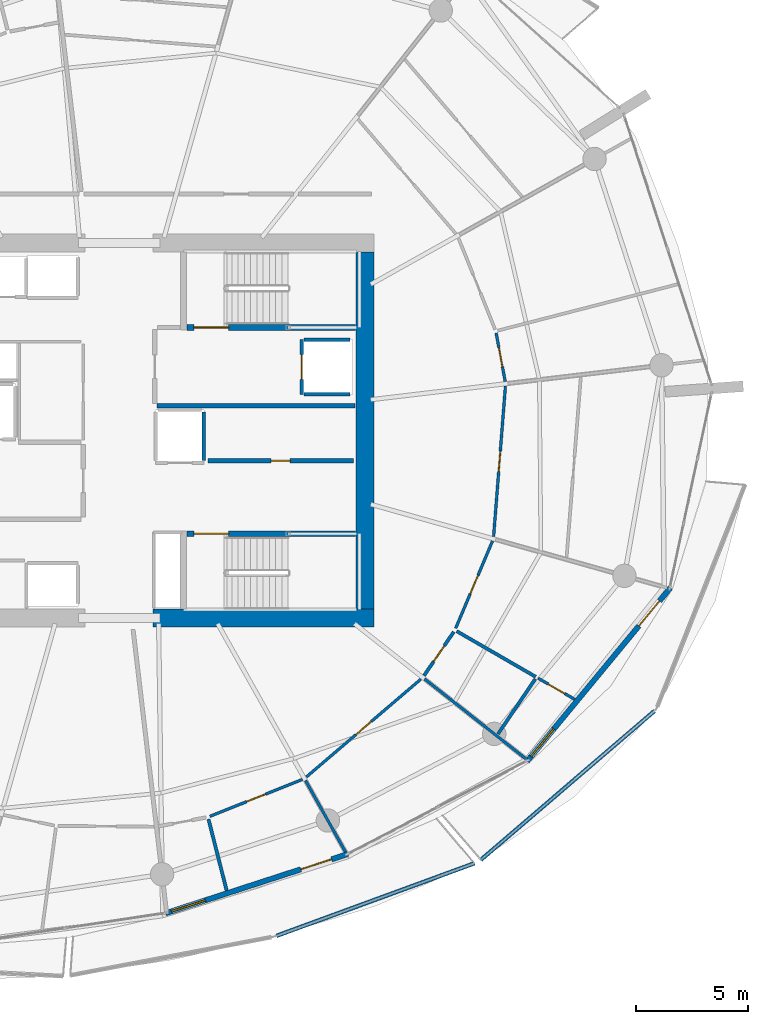
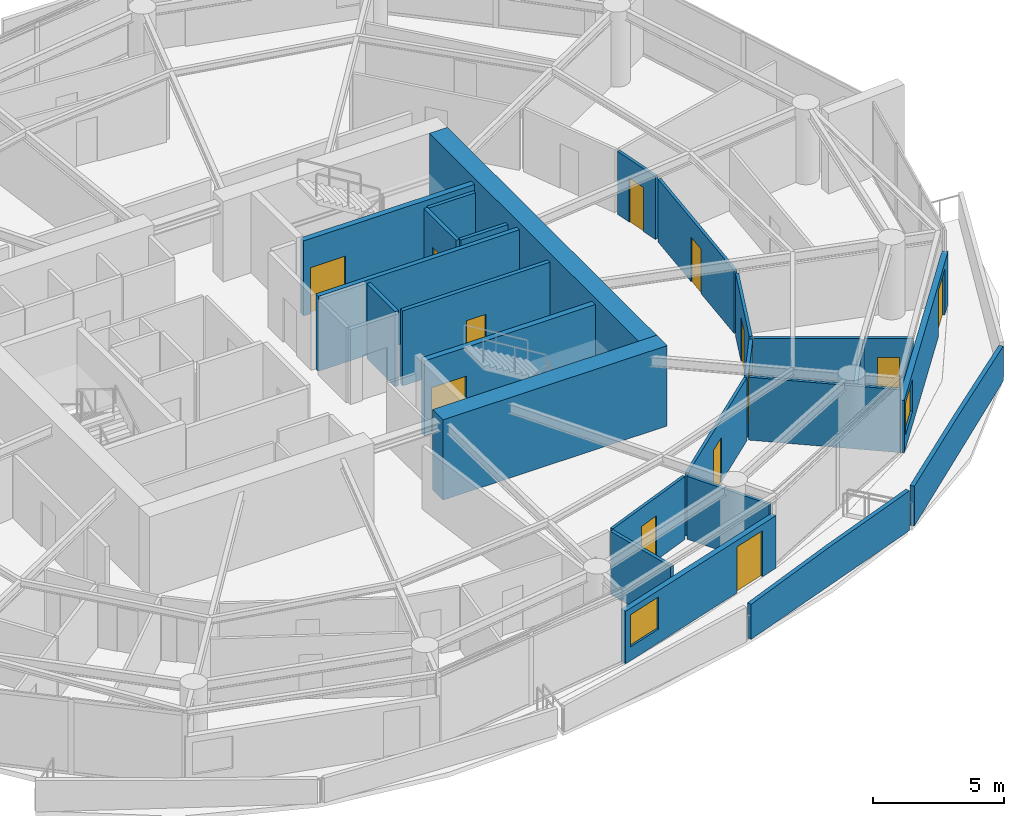
# One storey, part 13 of 20: 26 walls, 13 doors, 2 windows, 15 openings.
"""IFC4 building model written with IfcOpenShell, lengths in metres."""

from ifc_helpers import new_model, si_unit, direction, frame, frame_2d, origin, place, context, subcontext, project, spatial, polyline, rectangle, outline, extrude, material, layer, layer_set, type_object, element, fill, save


model = new_model("IFC4")

# Units and contexts
model_context = context("Model", 3, precision=1e-05, world=origin(), true_north=direction((0.0, 1.0)))
body_context = subcontext(model_context, "Body", "Model", "MODEL_VIEW")
ifc_project = project(units=[si_unit("LENGTHUNIT", "METRE"), si_unit("AREAUNIT", "SQUARE_METRE"), si_unit("VOLUMEUNIT", "CUBIC_METRE"), si_unit("PLANEANGLEUNIT", "RADIAN"), si_unit("MASSUNIT", "GRAM", prefix="KILO")], contexts=[model_context])

# Site, building, storey
site_placement = place(None, origin())
site = spatial("IfcSite", under=ifc_project, at=site_placement, CompositionType="ELEMENT")
building_placement = place(site_placement, origin())
building = spatial("IfcBuilding", under=site, at=building_placement, Name="Kazma Halo Residences", CompositionType="ELEMENT")
storey_placement = place(building_placement, frame((0.0, 0.0, 161.550048828125)))
storey = spatial("IfcBuildingStorey", under=building, at=storey_placement, Name="L40", CompositionType="ELEMENT", Elevation=161.550048828125)

# Walls
ifc_material_1 = material(Name="White Concrete C50/60 Balustrade", Category="concrete")
ifc_layer_1 = layer(ifc_material_1, 0.179931640625)
ifc_layer_set_1 = layer_set([ifc_layer_1], Name="White Concrete C50/60 Balustrade")
wall_type_1 = type_object("IfcWallType", Name="WL-BAL-WAVE-180", PredefinedType="PARAPET", material=ifc_layer_set_1)
wall_1_placement = place(storey_placement, frame((55.481689453125, 19.36181640625, 0.0), z_axis=(0.0, 0.0, 1.0), x_axis=(0.93889246029, 0.344210615774, 0.0)))
element("IfcWall", 1, at=wall_1_placement, inside=storey, type_object=wall_type_1, Name="L40 white wave balustrade wall SSE.2", PredefinedType="PARAPET", context=body_context, shape_type="SweptSolid", body=[
    extrude(outline(polyline([(0.0, 0.0), (9.448974609375, 0.0), (9.448974609375, 1.85986328125), (4.724609375, 1.7978515625), (0.0, 1.6318359375), (0.0, 0.0)])), frame((0.0, 0.08984375, 0.0), z_axis=(0.0, -1.0, 0.0), x_axis=(1.0, 0.0, 0.0)), (0.0, 0.0, 1.0), 0.179931640625),
])
wall_2_placement = place(storey_placement, frame((64.6337890625, 22.763427734375, 0.0), z_axis=(0.0, 0.0, 1.0), x_axis=(0.758999279374, 0.651091463551, 0.0)))
element("IfcWall", 2, at=wall_2_placement, inside=storey, type_object=wall_type_1, Name="L40 white wave balustrade wall SE.1", PredefinedType="PARAPET", context=body_context, shape_type="SweptSolid", body=[
    extrude(outline(polyline([(0.0, 0.0), (10.2490234375, 0.0), (10.2490234375, 1.6318359375), (5.12451171875, 1.7978515625), (0.0, 1.85986328125), (0.0, 0.0)])), frame((0.0, 0.08984375, 0.0), z_axis=(0.0, -1.0, 0.0), x_axis=(1.0, 0.0, 0.0)), (0.0, 0.0, 1.0), 0.179931640625),
])
ifc_material_2 = material(Name="Concrete C80/95", Category="concrete")
ifc_layer_2 = layer(ifc_material_2, 0.800048828125)
ifc_layer_set_2 = layer_set([ifc_layer_2], Name="Concrete C80/95")
wall_type_2 = type_object("IfcWallType", Name="WL-CORE-800", PredefinedType="SHEAR", material=ifc_layer_set_2)
wall_3_placement = place(storey_placement, frame((49.949951171875, 33.60009765625, 0.0), z_axis=(0.0, 0.0, 1.0), x_axis=(1.0, 0.0, 0.0)))
element("IfcWall", 3, at=wall_3_placement, inside=storey, type_object=wall_type_2, Name="L40 central core shear wall SE", PredefinedType="SHEAR", context=body_context, shape_type="SweptSolid", body=[
    extrude(rectangle(XDim=9.900146484375, YDim=0.800048828125, at=frame_2d((4.9501953125, 0.0))), origin(), (0.0, 0.0, 1.0), 3.75),
])
wall_4_placement = place(storey_placement, frame((59.449951171875, 34.0, 0.0), z_axis=(0.0, 0.0, 1.0), x_axis=(0.0, 1.0, 0.0)))
element("IfcWall", 4, at=wall_4_placement, inside=storey, type_object=wall_type_2, Name="L40 central core shear wall E", PredefinedType="SHEAR", context=body_context, shape_type="SweptSolid", body=[
    extrude(rectangle(XDim=16.0, YDim=0.800048828125, at=frame_2d((8.0, 0.0))), origin(), (0.0, 0.0, 1.0), 3.75),
])

# Wall, openings, door, window
ifc_material_3 = material(Name="Insulated Pale-Metal Composite Wall")
ifc_layer_3 = layer(ifc_material_3, 0.239990234375)
ifc_layer_set_3 = layer_set([ifc_layer_3], Name="Insulated Pale-Metal Composite Wall")
wall_type_3 = type_object("IfcWallType", Name="WL-EXT-HOST-240", PredefinedType="SOLIDWALL", material=ifc_layer_set_3)
wall_5_placement = place(storey_placement, frame((50.510009765625, 20.375732421875, 0.0), z_axis=(0.0, 0.0, 1.0), x_axis=(0.951046390632, 0.309048156224, 0.0)))
wall_5 = element("IfcWall", 5, at=wall_5_placement, inside=storey, type_object=wall_type_3, Name="L40 exterior terrace-access wall B12", PredefinedType="SOLIDWALL", context=body_context, shape_type="SweptSolid", body=[
    extrude(rectangle(XDim=8.590087890625, YDim=0.239990234375, at=frame_2d((4.294921875, 0.0))), origin(), (0.0, 0.0, 1.0), 2.449951171875),
])
opening_1_placement = place(wall_5_placement, frame((6.370361328125, 0.0, 0.0)))
opening_1 = element("IfcOpeningElement", 6, at=opening_1_placement, cuts=wall_5, Name="Opening DTR-1600", PredefinedType="OPENING", context=body_context, shape_type="SweptSolid", body=[
    extrude(rectangle(XDim=1.449951171875, YDim=2.14990234375, at=frame_2d((0.72509765625, 1.074951171875))), frame((0.0, 0.1298828125, 0.0), z_axis=(0.0, -1.0, 0.0), x_axis=(1.0, 0.0, 0.0)), (0.0, 0.0, 1.0), 0.260009765625),
])
opening_2_placement = place(wall_5_placement, frame((0.280029296875, 0.0, 0.64990234375)))
opening_2 = element("IfcOpeningElement", 7, at=opening_2_placement, cuts=wall_5, Name="Opening W-1800", PredefinedType="OPENING", context=body_context, shape_type="SweptSolid", body=[
    extrude(rectangle(XDim=1.60009765625, YDim=1.5, at=frame_2d((0.800048828125, 0.75))), frame((0.0, 0.1298828125, 0.0), z_axis=(0.0, -1.0, 0.0), x_axis=(1.0, 0.0, 0.0)), (0.0, 0.0, 1.0), 0.260009765625),
])
ifc_material_4 = material(Name="Aluminium AW-6063 T6 Double-Glazed Terrace Door", Category="aluminium")
door_type_1 = type_object("IfcDoorType", Name="DR-EXT-TERR-1600", OperationType="NOTDEFINED", PredefinedType="DOOR", material=ifc_material_4)
door_1_placement = place(opening_1_placement, origin())
door_1 = element("IfcDoor", 8, at=door_1_placement, inside=storey, type_object=door_type_1, Name="L40 B12 balcony terrace door", OperationType="DOUBLE_DOOR_SLIDING", OverallHeight=2.14990234375, OverallWidth=1.449951171875, PredefinedType="DOOR", context=body_context, shape_type="SweptSolid", body=[
    extrude(rectangle(XDim=1.449951171875, YDim=2.14990234375, at=frame_2d((0.72509765625, 1.074951171875))), frame((0.0, 0.02490234375, 0.0), z_axis=(0.0, -1.0, 0.0), x_axis=(1.0, 0.0, 0.0)), (0.0, 0.0, 1.0), 0.050048828125),
])
fill(opening_1, door_1)
ifc_material_5 = material(Name="Clear Triple-Silver Low-E Glass in Aluminium AW-6063 T6 Frame", Category="aluminium")
window_type = type_object("IfcWindowType", Name="WIN-RES-1800", PartitioningType="DOUBLE_PANEL_VERTICAL", PredefinedType="WINDOW", material=ifc_material_5)
window_1_placement = place(opening_2_placement, origin())
window_1 = element("IfcWindow", 9, at=window_1_placement, inside=storey, type_object=window_type, Name="L40 B12 apartment window", OverallHeight=1.5, OverallWidth=1.60009765625, PartitioningType="SINGLE_PANEL", PredefinedType="WINDOW", context=body_context, shape_type="SweptSolid", body=[
    extrude(rectangle(XDim=1.60009765625, YDim=1.5, at=frame_2d((0.800048828125, 0.75))), frame((0.0, 0.030029296875, 0.0), z_axis=(0.0, -1.0, 0.0), x_axis=(1.0, 0.0, 0.0)), (0.0, 0.0, 1.0), 0.06005859375),
])
fill(opening_2, window_1)

wall_6_placement = place(storey_placement, frame((66.70947265625, 27.18701171875, 0.0), z_axis=(0.0, 0.0, 1.0), x_axis=(0.636771922292, 0.77105221547, 0.0)))
wall_6 = element("IfcWall", 10, at=wall_6_placement, inside=storey, type_object=wall_type_3, Name="L40 exterior terrace-access wall B14", PredefinedType="SOLIDWALL", context=body_context, shape_type="SweptSolid", body=[
    extrude(rectangle(XDim=10.08154296875, YDim=0.239990234375, at=frame_2d((5.040771484375, 0.0))), origin(), (0.0, 0.0, 1.0), 2.449951171875),
])
opening_3_placement = place(wall_6_placement, frame((7.861572265625, 0.0, 0.0)))
opening_3 = element("IfcOpeningElement", 11, at=opening_3_placement, cuts=wall_6, Name="Opening DTR-1600", PredefinedType="OPENING", context=body_context, shape_type="SweptSolid", body=[
    extrude(rectangle(XDim=1.449951171875, YDim=2.14990234375, at=frame_2d((0.72509765625, 1.074951171875))), frame((0.0, 0.1298828125, 0.0), z_axis=(0.0, -1.0, 0.0), x_axis=(1.0, 0.0, 0.0)), (0.0, 0.0, 1.0), 0.260009765625),
])
opening_4_placement = place(wall_6_placement, frame((0.280029296875, 0.0, 0.64990234375)))
opening_4 = element("IfcOpeningElement", 12, at=opening_4_placement, cuts=wall_6, Name="Opening W-1800", PredefinedType="OPENING", context=body_context, shape_type="SweptSolid", body=[
    extrude(rectangle(XDim=1.60009765625, YDim=1.5, at=frame_2d((0.800048828125, 0.75))), frame((0.0, 0.1298828125, 0.0), z_axis=(0.0, -1.0, 0.0), x_axis=(1.0, 0.0, 0.0)), (0.0, 0.0, 1.0), 0.260009765625),
])
door_2_placement = place(opening_3_placement, origin())
door_2 = element("IfcDoor", 13, at=door_2_placement, inside=storey, type_object=door_type_1, Name="L40 B14 balcony terrace door", OperationType="DOUBLE_DOOR_SLIDING", OverallHeight=2.14990234375, OverallWidth=1.449951171875, PredefinedType="DOOR", context=body_context, shape_type="SweptSolid", body=[
    extrude(rectangle(XDim=1.449951171875, YDim=2.14990234375, at=frame_2d((0.72509765625, 1.074951171875))), frame((0.0, 0.02490234375, 0.0), z_axis=(0.0, -1.0, 0.0), x_axis=(1.0, 0.0, 0.0)), (0.0, 0.0, 1.0), 0.050048828125),
])
fill(opening_3, door_2)
window_2_placement = place(opening_4_placement, origin())
window_2 = element("IfcWindow", 14, at=window_2_placement, inside=storey, type_object=window_type, Name="L40 B14 apartment window", OverallHeight=1.5, OverallWidth=1.60009765625, PartitioningType="SINGLE_PANEL", PredefinedType="WINDOW", context=body_context, shape_type="SweptSolid", body=[
    extrude(rectangle(XDim=1.60009765625, YDim=1.5, at=frame_2d((0.800048828125, 0.75))), frame((0.0, 0.030029296875, 0.0), z_axis=(0.0, -1.0, 0.0), x_axis=(1.0, 0.0, 0.0)), (0.0, 0.0, 1.0), 0.06005859375),
])
fill(opening_4, window_2)

# Wall, opening, door
ifc_material_6 = material(Name="Fire-Rated Blockwork Masonry", Category="masonry")
ifc_layer_4 = layer(ifc_material_6, 0.199951171875)
ifc_layer_set_4 = layer_set([ifc_layer_4], Name="Fire-Rated Blockwork Masonry")
wall_type_4 = type_object("IfcWallType", Name="WL-FLB-200", PredefinedType="PARTITIONING", material=ifc_layer_set_4)
wall_7_placement = place(storey_placement, frame((56.6201171875, 46.080078125, 0.0), z_axis=(0.0, 0.0, 1.0), x_axis=(0.0, -1.0, 0.0)))
wall_7 = element("IfcWall", 15, at=wall_7_placement, inside=storey, type_object=wall_type_4, Name="L40 lift shaft FL-02 front wall", PredefinedType="PARTITIONING", context=body_context, shape_type="SweptSolid", body=[
    extrude(rectangle(XDim=2.4599609375, YDim=0.159912109375, at=frame_2d((1.22998046875, 0.0))), origin(), (0.0, 0.0, 1.0), 3.5),
])
opening_5_placement = place(wall_7_placement, frame((0.679931640625, 0.0, 0.0)))
opening_5 = element("IfcOpeningElement", 16, at=opening_5_placement, cuts=wall_7, Name="Opening LD-FL-02", PredefinedType="OPENING", context=body_context, shape_type="SweptSolid", body=[
    extrude(rectangle(XDim=1.10009765625, YDim=2.10009765625, at=frame_2d((0.550048828125, 1.050048828125))), frame((0.0, 0.08984375, 0.0), z_axis=(0.0, -1.0, 0.0), x_axis=(1.0, 0.0, 0.0)), (0.0, 0.0, 1.0), 0.179931640625),
])
ifc_material_7 = material(Name="Stainless Steel Fire-Rated", Category="steel")
door_type_2 = type_object("IfcDoorType", Name="DR-LIFT-SLD-1100", OperationType="DOUBLE_DOOR_SLIDING", PredefinedType="DOOR", material=ifc_material_7)
door_3_placement = place(opening_5_placement, origin())
door_3 = element("IfcDoor", 17, at=door_3_placement, inside=storey, type_object=door_type_2, Name="L40 lift FL-02 sliding landing door", OperationType="DOUBLE_DOOR_SLIDING", OverallHeight=2.10009765625, OverallWidth=1.10009765625, PredefinedType="DOOR", context=body_context, shape_type="SweptSolid", body=[
    extrude(rectangle(XDim=1.10009765625, YDim=2.10009765625, at=frame_2d((0.550048828125, 1.050048828125))), frame((0.0, 0.02490234375, 0.0), z_axis=(0.0, -1.0, 0.0), x_axis=(1.0, 0.0, 0.0)), (0.0, 0.0, 1.0), 0.050048828125),
])
fill(opening_5, door_3)

# Walls
for number, where, z_axis, x_axis, name in (
    (18, (56.719970703125, 46.080078125, 0.0), (0.0, 0.0, 1.0), (1.0, 0.0, 0.0), "L40 lift shaft FL-02 side wall N"),
    (19, (56.719970703125, 43.6201171875, 0.0), (0.0, 0.0, 1.0), (1.0, 0.0, 0.0), "L40 lift shaft FL-02 side wall S"),
):
    element("IfcWall", number, at=place(storey_placement, frame(where, z_axis=z_axis, x_axis=x_axis)), inside=storey, type_object=wall_type_4, Name=name, PredefinedType="PARTITIONING", context=body_context, shape_type="SweptSolid", body=[
        extrude(rectangle(XDim=2.06005859375, YDim=0.159912109375, at=frame_2d((1.030029296875, 0.0))), origin(), (0.0, 0.0, 1.0), 3.5),
    ])
wall_8_placement = place(storey_placement, frame((52.22998046875, 40.669921875, 0.0), z_axis=(0.0, 0.0, 1.0), x_axis=(0.0, 1.0, 0.0)))
element("IfcWall", 20, at=wall_8_placement, inside=storey, type_object=wall_type_4, Name="L40 lift shaft SV-01 side wall E", PredefinedType="PARTITIONING", context=body_context, shape_type="SweptSolid", body=[
    extrude(rectangle(XDim=2.16015625, YDim=0.159912109375, at=frame_2d((1.080078125, 0.0))), origin(), (0.0, 0.0, 1.0), 3.5),
])

# Wall, opening, door
wall_9_placement = place(storey_placement, frame((52.419921875, 40.64990234375, 0.0), z_axis=(0.0, 0.0, 1.0), x_axis=(1.0, 0.0, 0.0)))
wall_9 = element("IfcWall", 21, at=wall_9_placement, inside=storey, type_object=wall_type_4, Name="L40 core east reserve wall", PredefinedType="PARTITIONING", context=body_context, shape_type="SweptSolid", body=[
    extrude(rectangle(XDim=6.5, YDim=0.179931640625, at=frame_2d((3.25, 0.0))), origin(), (0.0, 0.0, 1.0), 3.5),
])
opening_6_placement = place(wall_9_placement, frame((2.824951171875, 0.0, 0.0)))
opening_6 = element("IfcOpeningElement", 22, at=opening_6_placement, cuts=wall_9, Name="Opening DS-850", PredefinedType="OPENING", context=body_context, shape_type="SweptSolid", body=[
    extrude(rectangle(XDim=0.85009765625, YDim=2.06005859375, at=frame_2d((0.425048828125, 1.030029296875))), frame((0.0, 0.099853515625, 0.0), z_axis=(0.0, -1.0, 0.0), x_axis=(1.0, 0.0, 0.0)), (0.0, 0.0, 1.0), 0.199951171875),
])
ifc_material_8 = material(Name="Painted Steel Access Leaf", Category="steel")
door_type_3 = type_object("IfcDoorType", Name="DR-SVC-850", OperationType="NOTDEFINED", PredefinedType="DOOR", material=ifc_material_8)
door_4_placement = place(opening_6_placement, origin())
door_4 = element("IfcDoor", 23, at=door_4_placement, inside=storey, type_object=door_type_3, Name="L40 core east reserve door", OperationType="SINGLE_SWING_LEFT", OverallHeight=2.06005859375, OverallWidth=0.85009765625, PredefinedType="DOOR", context=body_context, shape_type="SweptSolid", body=[
    extrude(rectangle(XDim=0.85009765625, YDim=2.06005859375, at=frame_2d((0.425048828125, 1.030029296875))), frame((0.0, 0.02490234375, 0.0), z_axis=(0.0, -1.0, 0.0), x_axis=(1.0, 0.0, 0.0)), (0.0, 0.0, 1.0), 0.050048828125),
])
fill(opening_6, door_4)

# Wall
wall_10_placement = place(storey_placement, frame((50.1201171875, 43.1201171875, 0.0), z_axis=(0.0, 0.0, 1.0), x_axis=(1.0, 0.0, 0.0)))
element("IfcWall", 24, at=wall_10_placement, inside=storey, type_object=wall_type_4, Name="L40 east firefighting lobby south smoke wall", PredefinedType="PARTITIONING", context=body_context, shape_type="SweptSolid", body=[
    extrude(rectangle(XDim=8.8798828125, YDim=0.199951171875, at=frame_2d((4.43994140625, 0.0))), origin(), (0.0, 0.0, 1.0), 3.5),
])

# Wall, opening, door
ifc_material_9 = material(Name="Gypsum Plasterboard Partition")
ifc_layer_5 = layer(ifc_material_9, 0.125)
ifc_layer_set_5 = layer_set([ifc_layer_5], Name="Gypsum Plasterboard Partition")
wall_type_5 = type_object("IfcWallType", Name="WL-PART-125", PredefinedType="PARTITIONING", material=ifc_layer_set_5)
wall_11_placement = place(storey_placement, frame((52.49365234375, 24.716064453125, 0.0), z_axis=(0.0, 0.0, 1.0), x_axis=(0.928695316587, 0.370843644882, 0.0)))
wall_11 = element("IfcWall", 25, at=wall_11_placement, inside=storey, type_object=wall_type_5, Name="L40 Apartment 3 Gourmet Kitchen hall wall", PredefinedType="PARTITIONING", context=body_context, shape_type="SweptSolid", body=[
    extrude(rectangle(XDim=4.463623046875, YDim=0.125, at=frame_2d((2.23193359375, 0.0))), origin(), (0.0, 0.0, 1.0), 2.93994140625),
])
opening_7_placement = place(wall_11_placement, frame((1.78173828125, 0.0, 0.0)))
opening_7 = element("IfcOpeningElement", 26, at=opening_7_placement, cuts=wall_11, Name="Opening DI-950", PredefinedType="OPENING", context=body_context, shape_type="SweptSolid", body=[
    extrude(rectangle(XDim=0.89990234375, YDim=2.080078125, at=frame_2d((0.449951171875, 1.0400390625))), frame((0.0, 0.072509765625, 0.0), z_axis=(0.0, -1.0, 0.0), x_axis=(1.0, 0.0, 0.0)), (0.0, 0.0, 1.0), 0.14501953125),
])
ifc_material_10 = material(Name="Timber Veneer Flush Leaf", Category="wood")
door_type_4 = type_object("IfcDoorType", Name="DR-INT-950", OperationType="NOTDEFINED", PredefinedType="DOOR", material=ifc_material_10)
door_5_placement = place(opening_7_placement, origin())
door_5 = element("IfcDoor", 27, at=door_5_placement, inside=storey, type_object=door_type_4, Name="L40 Apartment 3 Gourmet Kitchen door", OperationType="SINGLE_SWING_RIGHT", OverallHeight=2.080078125, OverallWidth=0.89990234375, PredefinedType="DOOR", context=body_context, shape_type="SweptSolid", body=[
    extrude(rectangle(XDim=0.89990234375, YDim=2.080078125, at=frame_2d((0.449951171875, 1.0400390625))), frame((0.0, 0.02490234375, 0.0), z_axis=(0.0, -1.0, 0.0), x_axis=(1.0, 0.0, 0.0)), (0.0, 0.0, 1.0), 0.050048828125),
])
fill(opening_7, door_5)

# Wall
wall_12_placement = place(storey_placement, frame((56.780517578125, 26.3212890625, 0.0), z_axis=(0.0, 0.0, 1.0), x_axis=(0.488615541235, -0.872499199348, 0.0)))
element("IfcWall", 28, at=wall_12_placement, inside=storey, type_object=wall_type_5, Name="L40 Apartment 3 radial partition 12", PredefinedType="PARTITIONING", context=body_context, shape_type="SweptSolid", body=[
    extrude(rectangle(XDim=3.66455078125, YDim=0.125, at=frame_2d((1.832275390625, 0.0))), origin(), (0.0, 0.0, 1.0), 2.93994140625),
])

# Wall, opening, door
wall_13_placement = place(storey_placement, frame((56.815185546875, 26.47998046875, 0.0), z_axis=(0.0, 0.0, 1.0), x_axis=(0.760406411553, 0.649447526186, 0.0)))
wall_13 = element("IfcWall", 29, at=wall_13_placement, inside=storey, type_object=wall_type_5, Name="L40 Apartment 3 East Formal Dining Room gallery wall", PredefinedType="PARTITIONING", context=body_context, shape_type="SweptSolid", body=[
    extrude(rectangle(XDim=6.752685546875, YDim=0.125, at=frame_2d((3.37646484375, 0.0))), origin(), (0.0, 0.0, 1.0), 2.93994140625),
])
opening_8_placement = place(wall_13_placement, frame((2.92626953125, 0.0, 0.0)))
opening_8 = element("IfcOpeningElement", 30, at=opening_8_placement, cuts=wall_13, Name="Opening DI-950", PredefinedType="OPENING", context=body_context, shape_type="SweptSolid", body=[
    extrude(rectangle(XDim=0.89990234375, YDim=2.080078125, at=frame_2d((0.449951171875, 1.0400390625))), frame((0.0, 0.072509765625, 0.0), z_axis=(0.0, -1.0, 0.0), x_axis=(1.0, 0.0, 0.0)), (0.0, 0.0, 1.0), 0.14501953125),
])
door_6_placement = place(opening_8_placement, origin())
door_6 = element("IfcDoor", 31, at=door_6_placement, inside=storey, type_object=door_type_4, Name="L40 Apartment 3 East Formal Dining Room door", OperationType="SINGLE_SWING_LEFT", OverallHeight=2.080078125, OverallWidth=0.89990234375, PredefinedType="DOOR", context=body_context, shape_type="SweptSolid", body=[
    extrude(rectangle(XDim=0.89990234375, YDim=2.080078125, at=frame_2d((0.449951171875, 1.0400390625))), frame((0.0, 0.02490234375, 0.0), z_axis=(0.0, -1.0, 0.0), x_axis=(1.0, 0.0, 0.0)), (0.0, 0.0, 1.0), 0.050048828125),
])
fill(opening_8, door_6)

# Wall
wall_14_placement = place(storey_placement, frame((62.112060546875, 30.875, 0.0), z_axis=(0.0, 0.0, 1.0), x_axis=(0.785328664081, -0.619079065526, 0.0)))
element("IfcWall", 32, at=wall_14_placement, inside=storey, type_object=wall_type_5, Name="L40 Apartment 3 radial partition 13", PredefinedType="PARTITIONING", context=body_context, shape_type="SweptSolid", body=[
    extrude(rectangle(XDim=5.86962890625, YDim=0.125, at=frame_2d((2.934814453125, 0.0))), origin(), (0.0, 0.0, 1.0), 2.93994140625),
])

# Wall, opening, door
wall_15_placement = place(storey_placement, frame((67.20556640625, 30.905029296875, 0.0), z_axis=(0.0, 0.0, 1.0), x_axis=(0.865877522555, -0.500256050372, 0.0)))
wall_15 = element("IfcWall", 33, at=wall_15_placement, inside=storey, type_object=wall_type_5, Name="L40 Apartment 3 North Walk-In Wardrobe partition wall", PredefinedType="PARTITIONING", context=body_context, shape_type="SweptSolid", body=[
    extrude(rectangle(XDim=1.8876953125, YDim=0.125, at=frame_2d((0.94384765625, 0.0))), origin(), (0.0, 0.0, 1.0), 2.93994140625),
])
opening_9_placement = place(wall_15_placement, frame((0.518798828125, 0.0, 0.0)))
opening_9 = element("IfcOpeningElement", 34, at=opening_9_placement, cuts=wall_15, Name="Opening DB-900", PredefinedType="OPENING", context=body_context, shape_type="SweptSolid", body=[
    extrude(rectangle(XDim=0.85009765625, YDim=2.06005859375, at=frame_2d((0.425048828125, 1.030029296875))), frame((0.0, 0.072509765625, 0.0), z_axis=(0.0, -1.0, 0.0), x_axis=(1.0, 0.0, 0.0)), (0.0, 0.0, 1.0), 0.14501953125),
])
ifc_material_11 = material(Name="Moisture-Sealed Timber Leaf", Category="wood")
door_type_5 = type_object("IfcDoorType", Name="DR-BTH-900", OperationType="NOTDEFINED", PredefinedType="DOOR", material=ifc_material_11)
door_7_placement = place(opening_9_placement, origin())
door_7 = element("IfcDoor", 35, at=door_7_placement, inside=storey, type_object=door_type_5, Name="L40 Apartment 3 North Walk-In Wardrobe door", OperationType="SINGLE_SWING_LEFT", OverallHeight=2.06005859375, OverallWidth=0.85009765625, PredefinedType="DOOR", context=body_context, shape_type="SweptSolid", body=[
    extrude(rectangle(XDim=0.85009765625, YDim=2.06005859375, at=frame_2d((0.425048828125, 1.030029296875))), frame((0.0, 0.02490234375, 0.0), z_axis=(0.0, -1.0, 0.0), x_axis=(1.0, 0.0, 0.0)), (0.0, 0.0, 1.0), 0.050048828125),
])
fill(opening_9, door_7)

wall_16_placement = place(storey_placement, frame((63.508544921875, 33.143798828125, 0.0), z_axis=(0.0, 0.0, 1.0), x_axis=(0.38881485578, 0.921315911034, 0.0)))
wall_16 = element("IfcWall", 36, at=wall_16_placement, inside=storey, type_object=wall_type_5, Name="L40 Apartment 3 South Master Bedroom hall wall", PredefinedType="PARTITIONING", context=body_context, shape_type="SweptSolid", body=[
    extrude(rectangle(XDim=4.247802734375, YDim=0.125, at=frame_2d((2.1240234375, 0.0))), origin(), (0.0, 0.0, 1.0), 2.93994140625),
])
opening_10_placement = place(wall_16_placement, frame((1.673828125, 0.0, 0.0)))
opening_10 = element("IfcOpeningElement", 37, at=opening_10_placement, cuts=wall_16, Name="Opening DI-950", PredefinedType="OPENING", context=body_context, shape_type="SweptSolid", body=[
    extrude(rectangle(XDim=0.89990234375, YDim=2.080078125, at=frame_2d((0.449951171875, 1.0400390625))), frame((0.0, 0.072509765625, 0.0), z_axis=(0.0, -1.0, 0.0), x_axis=(1.0, 0.0, 0.0)), (0.0, 0.0, 1.0), 0.14501953125),
])
door_8_placement = place(opening_10_placement, origin())
door_8 = element("IfcDoor", 38, at=door_8_placement, inside=storey, type_object=door_type_4, Name="L40 Apartment 3 South Master Bedroom door", OperationType="SINGLE_SWING_RIGHT", OverallHeight=2.080078125, OverallWidth=0.89990234375, PredefinedType="DOOR", context=body_context, shape_type="SweptSolid", body=[
    extrude(rectangle(XDim=0.89990234375, YDim=2.080078125, at=frame_2d((0.449951171875, 1.0400390625))), frame((0.0, 0.02490234375, 0.0), z_axis=(0.0, -1.0, 0.0), x_axis=(1.0, 0.0, 0.0)), (0.0, 0.0, 1.0), 0.050048828125),
])
fill(opening_10, door_8)

wall_17_placement = place(storey_placement, frame((65.207763671875, 37.259033203125, 0.0), z_axis=(0.0, 0.0, 1.0), x_axis=(0.078457580711, 0.996917452966, 0.0)))
wall_17 = element("IfcWall", 39, at=wall_17_placement, inside=storey, type_object=wall_type_5, Name="L40 Apartment 3 Inner Study hall wall", PredefinedType="PARTITIONING", context=body_context, shape_type="SweptSolid", body=[
    extrude(rectangle(XDim=6.75244140625, YDim=0.125, at=frame_2d((3.376220703125, 0.0))), origin(), (0.0, 0.0, 1.0), 2.93994140625),
])
opening_11_placement = place(wall_17_placement, frame((2.92626953125, 0.0, 0.0)))
opening_11 = element("IfcOpeningElement", 40, at=opening_11_placement, cuts=wall_17, Name="Opening DI-950", PredefinedType="OPENING", context=body_context, shape_type="SweptSolid", body=[
    extrude(rectangle(XDim=0.89990234375, YDim=2.080078125, at=frame_2d((0.449951171875, 1.0400390625))), frame((0.0, 0.072509765625, 0.0), z_axis=(0.0, -1.0, 0.0), x_axis=(1.0, 0.0, 0.0)), (0.0, 0.0, 1.0), 0.14501953125),
])
door_9_placement = place(opening_11_placement, origin())
door_9 = element("IfcDoor", 41, at=door_9_placement, inside=storey, type_object=door_type_4, Name="L40 Apartment 3 Inner Study door", OperationType="SINGLE_SWING_LEFT", OverallHeight=2.080078125, OverallWidth=0.89990234375, PredefinedType="DOOR", context=body_context, shape_type="SweptSolid", body=[
    extrude(rectangle(XDim=0.89990234375, YDim=2.080078125, at=frame_2d((0.449951171875, 1.0400390625))), frame((0.0, 0.02490234375, 0.0), z_axis=(0.0, -1.0, 0.0), x_axis=(1.0, 0.0, 0.0)), (0.0, 0.0, 1.0), 0.050048828125),
])
fill(opening_11, door_9)

wall_18_placement = place(storey_placement, frame((65.727783203125, 44.19873046875, 0.0), z_axis=(0.0, 0.0, 1.0), x_axis=(-0.183909749888, 0.982943133602, 0.0)))
wall_18 = element("IfcWall", 42, at=wall_18_placement, inside=storey, type_object=wall_type_5, Name="L40 Apartment 3 Corner Bedroom hall wall", PredefinedType="PARTITIONING", context=body_context, shape_type="SweptSolid", body=[
    extrude(rectangle(XDim=2.21826171875, YDim=0.125, at=frame_2d((1.109130859375, 0.0))), origin(), (0.0, 0.0, 1.0), 2.93994140625),
])
opening_12_placement = place(wall_18_placement, frame((0.68408203125, 0.0, 0.0)))
opening_12 = element("IfcOpeningElement", 43, at=opening_12_placement, cuts=wall_18, Name="Opening DB-900", PredefinedType="OPENING", context=body_context, shape_type="SweptSolid", body=[
    extrude(rectangle(XDim=0.85009765625, YDim=2.06005859375, at=frame_2d((0.425048828125, 1.030029296875))), frame((0.0, 0.072509765625, 0.0), z_axis=(0.0, -1.0, 0.0), x_axis=(1.0, 0.0, 0.0)), (0.0, 0.0, 1.0), 0.14501953125),
])
door_10_placement = place(opening_12_placement, origin())
door_10 = element("IfcDoor", 44, at=door_10_placement, inside=storey, type_object=door_type_5, Name="L40 Apartment 3 Corner Bedroom door", OperationType="SINGLE_SWING_RIGHT", OverallHeight=2.06005859375, OverallWidth=0.85009765625, PredefinedType="DOOR", context=body_context, shape_type="SweptSolid", body=[
    extrude(rectangle(XDim=0.85009765625, YDim=2.06005859375, at=frame_2d((0.425048828125, 1.030029296875))), frame((0.0, 0.02490234375, 0.0), z_axis=(0.0, -1.0, 0.0), x_axis=(1.0, 0.0, 0.0)), (0.0, 0.0, 1.0), 0.050048828125),
])
fill(opening_12, door_10)

ifc_material_12 = material(Name="Concrete C50/60", Category="concrete")
ifc_layer_6 = layer(ifc_material_12, 0.25)
ifc_layer_set_6 = layer_set([ifc_layer_6], Name="Concrete C50/60")
wall_type_6 = type_object("IfcWallType", Name="WL-SHF-250", PredefinedType="SOLIDWALL", material=ifc_layer_set_6)
wall_19_placement = place(storey_placement, frame((51.47998046875, 46.6201171875, 0.0), z_axis=(0.0, 0.0, 1.0), x_axis=(1.0, 0.0, 0.0)))
wall_19 = element("IfcWall", 45, at=wall_19_placement, inside=storey, type_object=wall_type_6, Name="L40 exit stair ST-02 enclosure wall", PredefinedType="SOLIDWALL", context=body_context, shape_type="SweptSolid", body=[
    extrude(rectangle(XDim=7.5400390625, YDim=0.25, at=frame_2d((3.77001953125, 0.0))), origin(), (0.0, 0.0, 1.0), 3.5),
])
opening_13_placement = place(wall_19_placement, frame((0.300048828125, 0.0, 0.0)))
opening_13 = element("IfcOpeningElement", 46, at=opening_13_placement, cuts=wall_19, Name="Opening D-ST2", PredefinedType="OPENING", context=body_context, shape_type="SweptSolid", body=[
    extrude(rectangle(XDim=1.550048828125, YDim=2.14990234375, at=frame_2d((0.77490234375, 1.074951171875))), frame((0.0, 0.135009765625, 0.0), z_axis=(0.0, -1.0, 0.0), x_axis=(1.0, 0.0, 0.0)), (0.0, 0.0, 1.0), 0.27001953125),
])
ifc_material_13 = material(Name="Fire-Rated Double Steel Leaf", Category="steel")
door_type_6 = type_object("IfcDoorType", Name="DR-FD90-1550", OperationType="NOTDEFINED", PredefinedType="DOOR", material=ifc_material_13)
door_11_placement = place(opening_13_placement, origin())
door_11 = element("IfcDoor", 47, at=door_11_placement, inside=storey, type_object=door_type_6, Name="L40 exit stair ST-02 fire door", OperationType="DOUBLE_DOOR_SINGLE_SWING", OverallHeight=2.14990234375, OverallWidth=1.550048828125, PredefinedType="DOOR", context=body_context, shape_type="SweptSolid", body=[
    extrude(rectangle(XDim=1.550048828125, YDim=2.14990234375, at=frame_2d((0.77490234375, 1.074951171875))), frame((0.0, 0.02490234375, 0.0), z_axis=(0.0, -1.0, 0.0), x_axis=(1.0, 0.0, 0.0)), (0.0, 0.0, 1.0), 0.050048828125),
])
fill(opening_13, door_11)

wall_20_placement = place(storey_placement, frame((51.47998046875, 37.3798828125, 0.0), z_axis=(0.0, 0.0, 1.0), x_axis=(1.0, 0.0, 0.0)))
wall_20 = element("IfcWall", 48, at=wall_20_placement, inside=storey, type_object=wall_type_6, Name="L40 exit stair ST-03 enclosure wall", PredefinedType="SOLIDWALL", context=body_context, shape_type="SweptSolid", body=[
    extrude(rectangle(XDim=7.5400390625, YDim=0.25, at=frame_2d((3.77001953125, 0.0))), origin(), (0.0, 0.0, 1.0), 3.5),
])
opening_14_placement = place(wall_20_placement, frame((0.300048828125, 0.0, 0.0)))
opening_14 = element("IfcOpeningElement", 49, at=opening_14_placement, cuts=wall_20, Name="Opening D-ST3", PredefinedType="OPENING", context=body_context, shape_type="SweptSolid", body=[
    extrude(rectangle(XDim=1.550048828125, YDim=2.14990234375, at=frame_2d((0.77490234375, 1.074951171875))), frame((0.0, 0.135009765625, 0.0), z_axis=(0.0, -1.0, 0.0), x_axis=(1.0, 0.0, 0.0)), (0.0, 0.0, 1.0), 0.27001953125),
])
door_12_placement = place(opening_14_placement, origin())
door_12 = element("IfcDoor", 50, at=door_12_placement, inside=storey, type_object=door_type_6, Name="L40 exit stair ST-03 fire door", OperationType="DOUBLE_DOOR_SINGLE_SWING", OverallHeight=2.14990234375, OverallWidth=1.550048828125, PredefinedType="DOOR", context=body_context, shape_type="SweptSolid", body=[
    extrude(rectangle(XDim=1.550048828125, YDim=2.14990234375, at=frame_2d((0.77490234375, 1.074951171875))), frame((0.0, 0.02490234375, 0.0), z_axis=(0.0, -1.0, 0.0), x_axis=(1.0, 0.0, 0.0)), (0.0, 0.0, 1.0), 0.050048828125),
])
fill(opening_14, door_12)

# Wall
ifc_material_14 = material(Name="Moisture-Resistant Gypsum")
ifc_layer_7 = layer(ifc_material_14, 0.14990234375)
ifc_layer_set_7 = layer_set([ifc_layer_7], Name="Moisture-Resistant Gypsum")
wall_type_7 = type_object("IfcWallType", Name="WL-WET-150", PredefinedType="PARTITIONING", material=ifc_layer_set_7)
wall_21_placement = place(storey_placement, frame((52.432373046875, 24.595458984375, 0.0), z_axis=(0.0, 0.0, 1.0), x_axis=(0.246779038105, -0.969071775645, 0.0)))
element("IfcWall", 51, at=wall_21_placement, inside=storey, type_object=wall_type_7, Name="L40 Apartment 3 Guest Bathroom side wall", PredefinedType="PARTITIONING", context=body_context, shape_type="SweptSolid", body=[
    extrude(rectangle(XDim=3.30126953125, YDim=0.14990234375, at=frame_2d((1.650634765625, 0.0))), origin(), (0.0, 0.0, 1.0), 2.93994140625),
])

# Wall, opening, door
wall_22_placement = place(storey_placement, frame((62.089599609375, 31.01953125, 0.0), z_axis=(0.0, 0.0, 1.0), x_axis=(0.561179778306, 0.827693938857, 0.0)))
wall_22 = element("IfcWall", 52, at=wall_22_placement, inside=storey, type_object=wall_type_7, Name="L40 Apartment 3 West En-Suite Bathroom hall wall", PredefinedType="PARTITIONING", context=body_context, shape_type="SweptSolid", body=[
    extrude(rectangle(XDim=2.376220703125, YDim=0.14990234375, at=frame_2d((1.18798828125, 0.0))), origin(), (0.0, 0.0, 1.0), 2.93994140625),
])
opening_15_placement = place(wall_22_placement, frame((0.76318359375, 0.0, 0.0)))
opening_15 = element("IfcOpeningElement", 53, at=opening_15_placement, cuts=wall_22, Name="Opening DB-900", PredefinedType="OPENING", context=body_context, shape_type="SweptSolid", body=[
    extrude(rectangle(XDim=0.85009765625, YDim=2.06005859375, at=frame_2d((0.425048828125, 1.030029296875))), frame((0.0, 0.0849609375, 0.0), z_axis=(0.0, -1.0, 0.0), x_axis=(1.0, 0.0, 0.0)), (0.0, 0.0, 1.0), 0.169921875),
])
door_13_placement = place(opening_15_placement, origin())
door_13 = element("IfcDoor", 54, at=door_13_placement, inside=storey, type_object=door_type_5, Name="L40 Apartment 3 West En-Suite Bathroom door", OperationType="SINGLE_SWING_RIGHT", OverallHeight=2.06005859375, OverallWidth=0.85009765625, PredefinedType="DOOR", context=body_context, shape_type="SweptSolid", body=[
    extrude(rectangle(XDim=0.85009765625, YDim=2.06005859375, at=frame_2d((0.425048828125, 1.030029296875))), frame((0.0, 0.02490234375, 0.0), z_axis=(0.0, -1.0, 0.0), x_axis=(1.0, 0.0, 0.0)), (0.0, 0.0, 1.0), 0.050048828125),
])
fill(opening_15, door_13)

# Walls
wall_23_placement = place(storey_placement, frame((65.40380859375, 28.406982421875, 0.0), z_axis=(0.0, 0.0, 1.0), x_axis=(0.561106969612, 0.827743298767, 0.0)))
element("IfcWall", 55, at=wall_23_placement, inside=storey, type_object=wall_type_7, Name="L40 Apartment 3 West En-Suite Bathroom back wall", PredefinedType="PARTITIONING", context=body_context, shape_type="SweptSolid", body=[
    extrude(rectangle(XDim=2.982177734375, YDim=0.14990234375, at=frame_2d((1.4912109375, 0.0))), origin(), (0.0, 0.0, 1.0), 2.93994140625),
])
wall_24_placement = place(storey_placement, frame((63.551513671875, 33.015869140625, 0.0), z_axis=(0.0, 0.0, 1.0), x_axis=(0.865897249189, -0.500221904605, 0.0)))
element("IfcWall", 56, at=wall_24_placement, inside=storey, type_object=wall_type_7, Name="L40 Apartment 3 West En-Suite Bathroom side wall", PredefinedType="PARTITIONING", context=body_context, shape_type="SweptSolid", body=[
    extrude(rectangle(XDim=4.090087890625, YDim=0.14990234375, at=frame_2d((2.044921875, 0.0))), origin(), (0.0, 0.0, 1.0), 2.93994140625),
])

save(model, "model.ifc")
